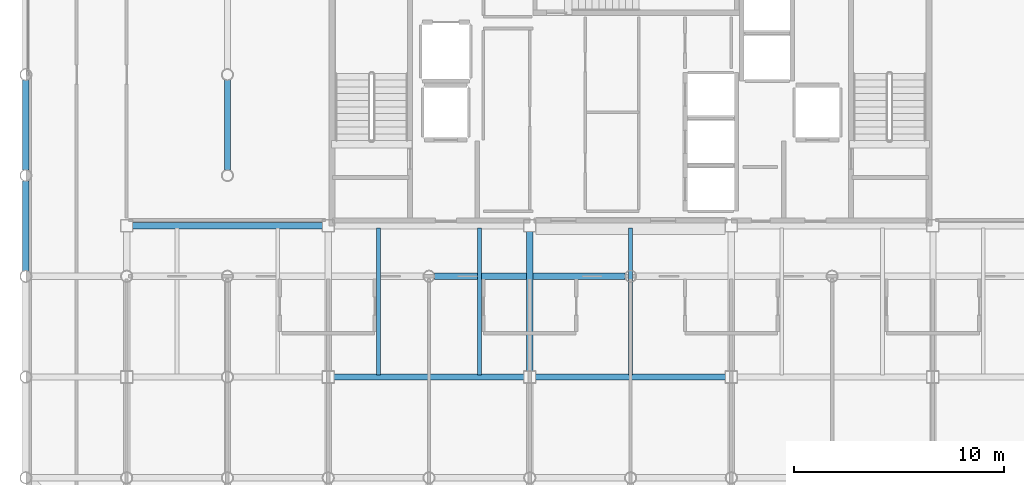
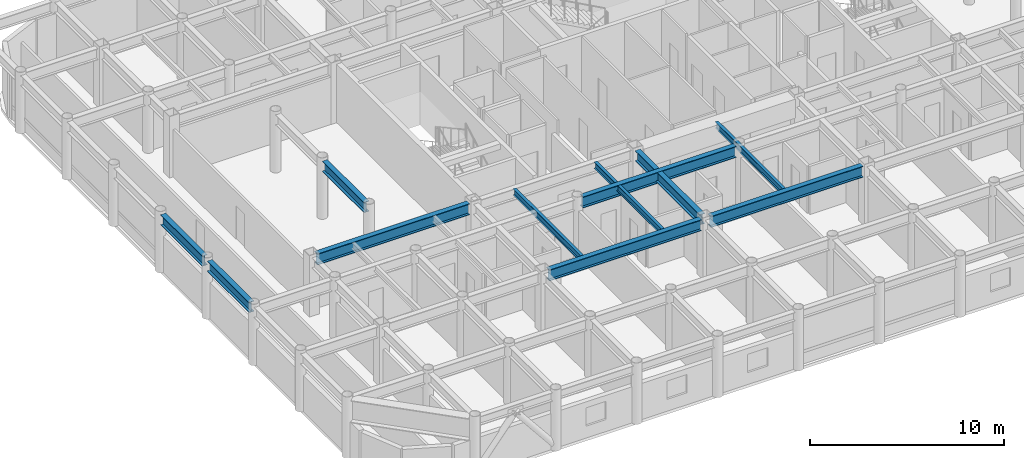
# One storey, part 5 of 22: 11 beams.
"""IFC4 building model written with IfcOpenShell, lengths in metres."""

from ifc_helpers import new_model, si_unit, direction, frame, origin, origin_2d, place, context, subcontext, project, spatial, i_section, extrude, material, material_profile, profile_set, type_object, element, save


model = new_model("IFC4")

# Units and contexts
model_context = context("Model", 3, precision=1e-05, world=origin(), true_north=direction((0.0, 1.0)))
body_context = subcontext(model_context, "Body", "Model", "MODEL_VIEW")
ifc_project = project(units=[si_unit("LENGTHUNIT", "METRE"), si_unit("AREAUNIT", "SQUARE_METRE"), si_unit("VOLUMEUNIT", "CUBIC_METRE"), si_unit("PLANEANGLEUNIT", "RADIAN"), si_unit("MASSUNIT", "GRAM", prefix="KILO")], contexts=[model_context])

# Site, building, storey
site_placement = place(None, origin())
site = spatial("IfcSite", under=ifc_project, at=site_placement, CompositionType="ELEMENT")
building_placement = place(site_placement, origin())
building = spatial("IfcBuilding", under=site, at=building_placement, Name="Kallvorn Hotel Tower", CompositionType="ELEMENT")
storey_placement = place(building_placement, frame((0.0, 0.0, 199.199951171875)))
storey = spatial("IfcBuildingStorey", under=building, at=storey_placement, Name="L49", CompositionType="ELEMENT", Elevation=199.199951171875)

# Beams
ifc_material_1 = material(Name="Structural steel S355JR", Category="steel")
ifc_material_profile_1 = material_profile(ifc_material_1, i_section(OverallWidth=0.300048828125, OverallDepth=0.64990234375, WebThickness=0.01611328125, FlangeThickness=0.031005859375, at=origin_2d()), Name="HE 650 B")
ifc_profile_set_1 = profile_set([ifc_material_profile_1], Name="Structural steel S355JR")
beam_type_1 = type_object("IfcBeamType", Name="BM_HE650B", PredefinedType="BEAM", material=ifc_profile_set_1)
for number, where, z_axis, x_axis, name in (
    (1, (-28.800048828125, -9.345458984375, 3.344970703125), (0.0, 1.0, 0.0), (-1.0, 0.0, 0.0), "L50 Primary Y-Girder 75"),
    (2, (-28.800048828125, -4.54541015625, 3.344970703125), (0.0, 1.0, 0.0), (-1.0, 0.0, 0.0), "L50 Primary Y-Girder 76"),
    (3, (-19.199951171875, -4.54541015625, 3.344970703125), (0.0, 1.0, 0.0), (-1.0, 0.0, 0.0), "L50 Primary Y-Girder 92"),
):
    element("IfcBeam", number, at=place(storey_placement, frame(where, z_axis=z_axis, x_axis=x_axis)), inside=storey, type_object=beam_type_1, Name=name, PredefinedType="BEAM", context=body_context, shape_type="SweptSolid", body=[
        extrude(i_section(OverallWidth=0.300048828125, OverallDepth=0.64990234375, WebThickness=0.01611328125, FlangeThickness=0.031005859375, at=origin_2d()), origin(), (0.0, 0.0, 1.0), 4.291015625),
    ])
beam_1_placement = place(storey_placement, frame((-4.800048828125, -14.125, 3.344970703125), z_axis=(0.0, 1.0, 0.0), x_axis=(-1.0, 0.0, 0.0)))
element("IfcBeam", 4, at=beam_1_placement, inside=storey, type_object=beam_type_1, Name="L50 Primary Y-Girder 107", PredefinedType="BEAM", context=body_context, shape_type="SweptSolid", body=[
    extrude(i_section(OverallWidth=0.300048828125, OverallDepth=0.64990234375, WebThickness=0.01611328125, FlangeThickness=0.031005859375, at=origin_2d()), origin(), (0.0, 0.0, 1.0), 6.64990234375),
])
ifc_material_2 = material(Name="Structural steel S355JR", Category="steel")
ifc_material_profile_2 = material_profile(ifc_material_2, i_section(OverallWidth=0.300048828125, OverallDepth=0.699951171875, WebThickness=0.01708984375, FlangeThickness=0.031982421875, at=origin_2d()), Name="HE 700 B")
ifc_profile_set_2 = profile_set([ifc_material_profile_2], Name="Structural steel S355JR")
beam_type_2 = type_object("IfcBeamType", Name="BM_HE700B", PredefinedType="BEAM", material=ifc_profile_set_2)
beam_2_placement = place(storey_placement, frame((-14.125, -14.39990234375, 3.320068359375), z_axis=(1.0, 0.0, 0.0), x_axis=(0.0, 1.0, 0.0)))
element("IfcBeam", 5, at=beam_2_placement, inside=storey, type_object=beam_type_2, Name="L50 Primary X-Girder 17", PredefinedType="BEAM", context=body_context, shape_type="SweptSolid", body=[
    extrude(i_section(OverallWidth=0.300048828125, OverallDepth=0.699951171875, WebThickness=0.01708984375, FlangeThickness=0.031982421875, at=origin_2d()), origin(), (0.0, 0.0, 1.0), 9.050048828125),
])
beam_3_placement = place(storey_placement, frame((-4.52490234375, -14.39990234375, 3.320068359375), z_axis=(1.0, 0.0, 0.0), x_axis=(0.0, 1.0, 0.0)))
element("IfcBeam", 6, at=beam_3_placement, inside=storey, type_object=beam_type_2, Name="L50 Primary X-Girder 18", PredefinedType="BEAM", context=body_context, shape_type="SweptSolid", body=[
    extrude(i_section(OverallWidth=0.300048828125, OverallDepth=0.699951171875, WebThickness=0.01708984375, FlangeThickness=0.031982421875, at=origin_2d()), origin(), (0.0, 0.0, 1.0), 9.0498046875),
])
beam_4_placement = place(storey_placement, frame((-9.345458984375, -9.60009765625, 3.320068359375), z_axis=(1.0, 0.0, 0.0), x_axis=(0.0, 1.0, 0.0)))
element("IfcBeam", 7, at=beam_4_placement, inside=storey, type_object=beam_type_2, Name="L50 Primary X-Girder 27", PredefinedType="BEAM", context=body_context, shape_type="SweptSolid", body=[
    extrude(i_section(OverallWidth=0.300048828125, OverallDepth=0.699951171875, WebThickness=0.01708984375, FlangeThickness=0.031982421875, at=origin_2d()), origin(), (0.0, 0.0, 1.0), 9.091064453125),
])
beam_5_placement = place(storey_placement, frame((-23.72509765625, -7.199951171875, 3.320068359375), z_axis=(1.0, 0.0, 0.0), x_axis=(0.0, 1.0, 0.0)))
element("IfcBeam", 8, at=beam_5_placement, inside=storey, type_object=beam_type_2, Name="L50 Primary X-Girder 33", PredefinedType="BEAM", context=body_context, shape_type="SweptSolid", body=[
    extrude(i_section(OverallWidth=0.300048828125, OverallDepth=0.699951171875, WebThickness=0.01708984375, FlangeThickness=0.031982421875, at=origin_2d()), origin(), (0.0, 0.0, 1.0), 9.050048828125),
])
ifc_material_3 = material(Name="Structural steel S355JR", Category="steel")
ifc_material_profile_3 = material_profile(ifc_material_3, i_section(OverallWidth=0.179931640625, OverallDepth=0.39990234375, WebThickness=0.008544921875, FlangeThickness=0.013427734375, at=origin_2d()), Name="IPE 400")
ifc_profile_set_3 = profile_set([ifc_material_profile_3], Name="Structural steel S355JR")
beam_type_3 = type_object("IfcBeamType", Name="BM_IPE400", PredefinedType="JOIST", material=ifc_profile_set_3)
for number, where, z_axis, x_axis, name in (
    (9, (-12.0, -14.300048828125, 3.469970703125), (0.0, 1.0, 0.0), (-1.0, 0.0, 0.0), "L50 Secondary Composite Joist 196"),
    (10, (-7.199951171875, -14.300048828125, 3.469970703125), (0.0, 1.0, 0.0), (-1.0, 0.0, 0.0), "L50 Secondary Composite Joist 198"),
    (11, (0.0, -14.300048828125, 3.469970703125), (0.0, 1.0, 0.0), (-1.0, 0.0, 0.0), "L50 Secondary Composite Joist 200"),
):
    element("IfcBeam", number, at=place(storey_placement, frame(where, z_axis=z_axis, x_axis=x_axis)), inside=storey, type_object=beam_type_3, Name=name, PredefinedType="JOIST", context=body_context, shape_type="SweptSolid", body=[
        extrude(i_section(OverallWidth=0.179931640625, OverallDepth=0.39990234375, WebThickness=0.008544921875, FlangeThickness=0.013427734375, at=origin_2d()), origin(), (0.0, 0.0, 1.0), 7.0),
    ])

save(model, "model.ifc")
